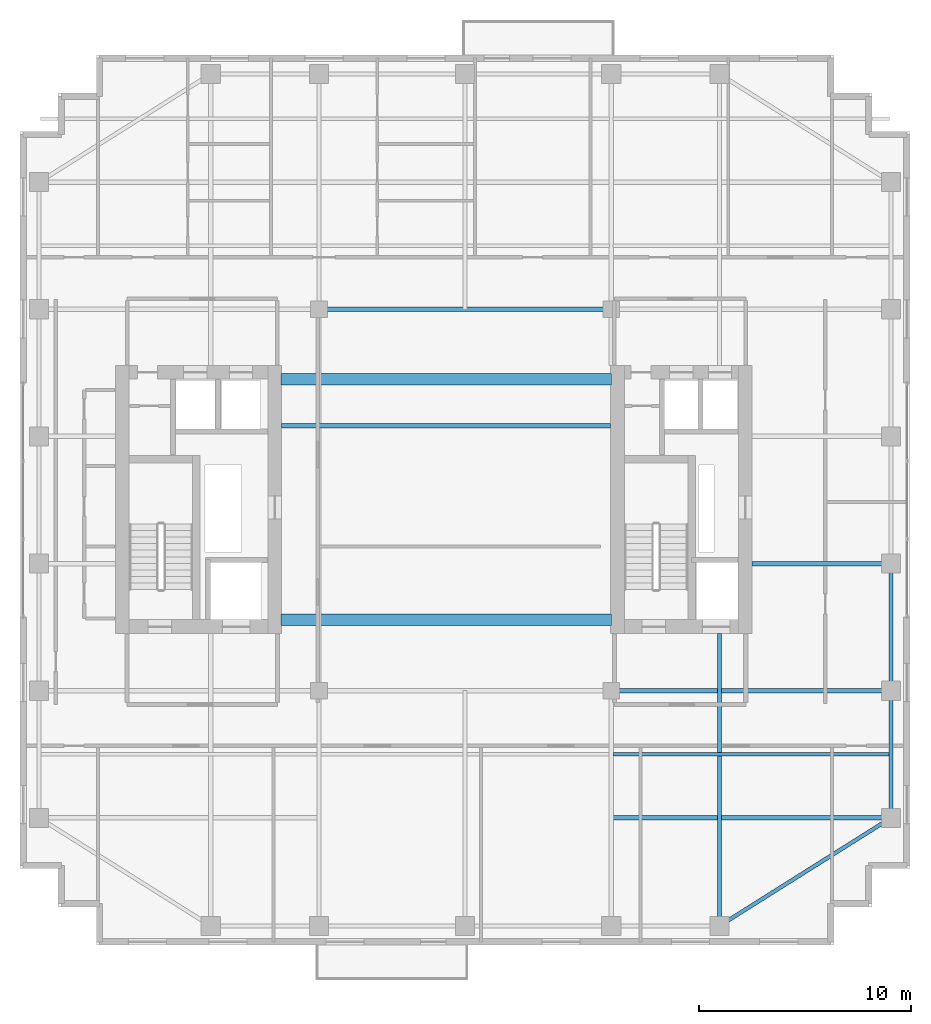
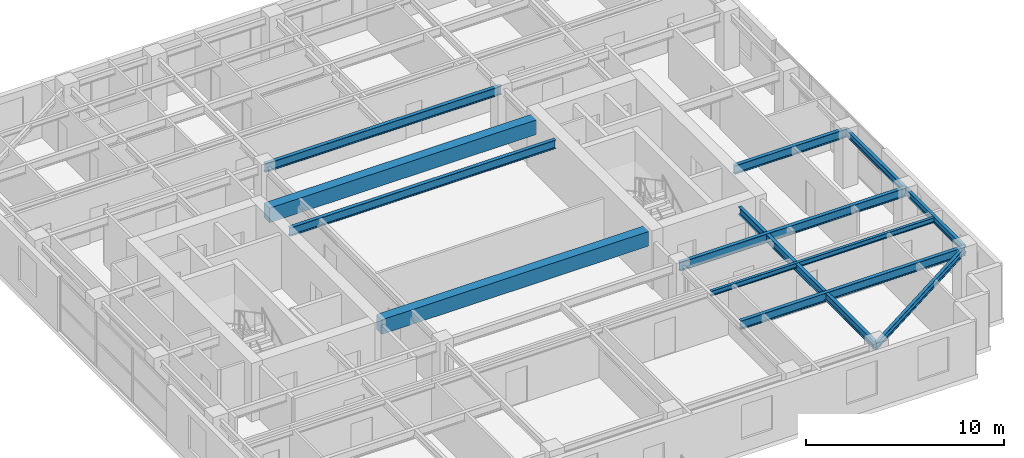
# One storey, part 5 of 14: 12 beams.
"""IFC4 building model written with IfcOpenShell, lengths in metres."""

from ifc_helpers import new_model, si_unit, direction, frame, origin, origin_2d, place, context, subcontext, project, spatial, rectangle, i_section, extrude, source, transform, mapped, material, material_profile, profile_set, type_object, element, save


model = new_model("IFC4")

# Units and contexts
model_context = context("Model", 3, precision=1e-05, world=origin(), true_north=direction((0.0, 1.0)))
body_context = subcontext(model_context, "Body", "Model", "MODEL_VIEW")
ifc_project = project(units=[si_unit("LENGTHUNIT", "METRE"), si_unit("AREAUNIT", "SQUARE_METRE"), si_unit("VOLUMEUNIT", "CUBIC_METRE"), si_unit("PLANEANGLEUNIT", "RADIAN"), si_unit("MASSUNIT", "GRAM", prefix="KILO")], contexts=[model_context])

# Site, building, storey
site_placement = place(None, origin())
site = spatial("IfcSite", under=ifc_project, at=site_placement, CompositionType="ELEMENT")
building_placement = place(site_placement, origin())
building = spatial("IfcBuilding", under=site, at=building_placement, Name="Khoralis Quay Care Tower", CompositionType="ELEMENT")
storey_placement = place(building_placement, frame((0.0, 0.0, 177.300048828125)))
storey = spatial("IfcBuildingStorey", under=building, at=storey_placement, Name="L46", CompositionType="ELEMENT", Elevation=177.300048828125)

# Beams
ifc_material_1 = material(Name="Concrete C65/80", Category="concrete")
ifc_material_profile_1 = material_profile(ifc_material_1, rectangle(XDim=0.550048828125, YDim=0.89990234375, at=origin_2d()), Name="Concrete C65/80")
ifc_profile_set_1 = profile_set([ifc_material_profile_1], Name="Concrete C65/80")
beam_type_1 = type_object("IfcBeamType", Name="CB-RC550X900", PredefinedType="LINTEL", material=ifc_profile_set_1)
shared_shape_1 = source(origin(), body_context, "Body", "SweptSolid", [
    extrude(rectangle(XDim=0.550048828125, YDim=0.89990234375, at=origin_2d()), origin(), (0.0, 0.0, 1.0), 15.579833984375),
])
for number, where, z_axis, x_axis, name in (
    (1, (15.320068359375, 15.35009765625, 2.889892578125), (1.0, 0.0, 0.0), (0.0, 1.0, 0.0), "L46 South Core Coupling Lintel"),
    (2, (15.320068359375, 26.699951171875, 2.889892578125), (1.0, 0.0, 0.0), (0.0, 1.0, 0.0), "L46 North Core Coupling Lintel"),
):
    element("IfcBeam", number, at=place(storey_placement, frame(where, z_axis=z_axis, x_axis=x_axis)), inside=storey, type_object=beam_type_1, Name=name, PredefinedType="LINTEL", context=body_context, shape_type="MappedRepresentation", body=[
        mapped(shared_shape_1, transform((0.0, 0.0, 0.0), scale=1.0)),
    ])
ifc_material_2 = material(Name="Steel S355", Category="steel")
ifc_material_profile_2 = material_profile(ifc_material_2, i_section(OverallWidth=0.179931640625, OverallDepth=0.39990234375, WebThickness=0.008544921875, FlangeThickness=0.013427734375, FilletRadius=0.02099609375, at=origin_2d()), Name="Steel S355")
ifc_profile_set_2 = profile_set([ifc_material_profile_2], Name="Steel S355")
beam_type_2 = type_object("IfcBeamType", Name="BM-IPE400", PredefinedType="SPANDREL", material=ifc_profile_set_2)
shared_shape_2 = source(origin(), body_context, "Body", "SweptSolid", [
    extrude(i_section(OverallWidth=0.179931640625, OverallDepth=0.39990234375, WebThickness=0.008544921875, FlangeThickness=0.013427734375, FilletRadius=0.02099609375, at=origin_2d()), origin(), (0.0, 0.0, 1.0), 6.0),
])
for number, where, z_axis, x_axis, name in (
    (3, (44.10009765625, 6.0, 3.139892578125), (0.0, 1.0, 0.0), (-1.0, 0.0, 0.0), "BM-TSP-L46-14"),
    (4, (44.10009765625, 12.0, 3.139892578125), (0.0, 1.0, 0.0), (-1.0, 0.0, 0.0), "BM-TSP-L46-15"),
):
    element("IfcBeam", number, at=place(storey_placement, frame(where, z_axis=z_axis, x_axis=x_axis)), inside=storey, type_object=beam_type_2, Name=name, PredefinedType="SPANDREL", context=body_context, shape_type="MappedRepresentation", body=[
        mapped(shared_shape_2, transform((0.0, 0.0, 0.0), scale=1.0)),
    ])
shared_shape_3 = source(origin(), body_context, "Body", "SweptSolid", [
    extrude(i_section(OverallWidth=0.179931640625, OverallDepth=0.39990234375, WebThickness=0.008544921875, FlangeThickness=0.013427734375, FilletRadius=0.02099609375, at=origin_2d()), origin(), (0.0, 0.0, 1.0), 9.572021484375),
])
beam_1_placement = place(storey_placement, frame((36.0, 0.89990234375, 3.139892578125), z_axis=(0.846231136359, 0.532815975602, 0.0), x_axis=(-0.532815975602, 0.846231136359, 0.0)))
element("IfcBeam", 5, at=beam_1_placement, inside=storey, type_object=beam_type_2, Name="BM-TCR-L46-20", PredefinedType="SPANDREL", context=body_context, shape_type="MappedRepresentation", body=[
    mapped(shared_shape_3, transform((0.0, 0.0, 0.0), scale=1.0)),
])
ifc_material_profile_3 = material_profile(ifc_material_2, i_section(OverallWidth=0.208984375, OverallDepth=0.532958984375, WebThickness=0.01025390625, FlangeThickness=0.015625, FilletRadius=0.01611328125, at=origin_2d()), Name="Steel S355")
ifc_profile_set_3 = profile_set([ifc_material_profile_3], Name="Steel S355")
beam_type_3 = type_object("IfcBeamType", Name="BM-W530X92", PredefinedType="BEAM", material=ifc_profile_set_3)
shared_shape_4 = source(origin(), body_context, "Body", "SweptSolid", [
    extrude(i_section(OverallWidth=0.208984375, OverallDepth=0.532958984375, WebThickness=0.01025390625, FlangeThickness=0.015625, FilletRadius=0.01611328125, at=origin_2d()), origin(), (0.0, 0.0, 1.0), 13.1162109375),
])
beam_2_placement = place(storey_placement, frame((30.98388671875, 6.0, 3.073486328125), z_axis=(1.0, 0.0, 0.0), x_axis=(0.0, 1.0, 0.0)))
element("IfcBeam", 6, at=beam_2_placement, inside=storey, type_object=beam_type_3, Name="BM-TGXE-L46-60", PredefinedType="BEAM", context=body_context, shape_type="MappedRepresentation", body=[
    mapped(shared_shape_4, transform((0.0, 0.0, 0.0), scale=1.0)),
])
shared_shape_5 = source(origin(), body_context, "Body", "SweptSolid", [
    extrude(i_section(OverallWidth=0.208984375, OverallDepth=0.532958984375, WebThickness=0.01025390625, FlangeThickness=0.015625, FilletRadius=0.01611328125, at=origin_2d()), origin(), (0.0, 0.0, 1.0), 13.2001953125),
])
beam_3_placement = place(storey_placement, frame((30.89990234375, 12.0, 3.073486328125), z_axis=(1.0, 0.0, 0.0), x_axis=(0.0, 1.0, 0.0)))
element("IfcBeam", 7, at=beam_3_placement, inside=storey, type_object=beam_type_3, Name="BM-TGXE-L46-120", PredefinedType="BEAM", context=body_context, shape_type="MappedRepresentation", body=[
    mapped(shared_shape_5, transform((0.0, 0.0, 0.0), scale=1.0)),
])
shared_shape_6 = source(origin(), body_context, "Body", "SweptSolid", [
    extrude(i_section(OverallWidth=0.208984375, OverallDepth=0.532958984375, WebThickness=0.01025390625, FlangeThickness=0.015625, FilletRadius=0.01611328125, at=origin_2d()), origin(), (0.0, 0.0, 1.0), 6.552001953125),
])
beam_4_placement = place(storey_placement, frame((37.548095703125, 18.0, 3.073486328125), z_axis=(1.0, 0.0, 0.0), x_axis=(0.0, 1.0, 0.0)))
element("IfcBeam", 8, at=beam_4_placement, inside=storey, type_object=beam_type_3, Name="BM-TGXE-L46-180", PredefinedType="BEAM", context=body_context, shape_type="MappedRepresentation", body=[
    mapped(shared_shape_6, transform((0.0, 0.0, 0.0), scale=1.0)),
])
shared_shape_7 = source(origin(), body_context, "Body", "SweptSolid", [
    extrude(i_section(OverallWidth=0.208984375, OverallDepth=0.532958984375, WebThickness=0.01025390625, FlangeThickness=0.015625, FilletRadius=0.01611328125, at=origin_2d()), origin(), (0.0, 0.0, 1.0), 13.7998046875),
])
beam_5_placement = place(storey_placement, frame((17.10009765625, 30.0, 3.073486328125), z_axis=(1.0, 0.0, 0.0), x_axis=(0.0, 1.0, 0.0)))
element("IfcBeam", 9, at=beam_5_placement, inside=storey, type_object=beam_type_3, Name="BM-TGCC-L46-300", PredefinedType="BEAM", context=body_context, shape_type="MappedRepresentation", body=[
    mapped(shared_shape_7, transform((0.0, 0.0, 0.0), scale=1.0)),
])
shared_shape_8 = source(origin(), body_context, "Body", "SweptSolid", [
    extrude(i_section(OverallWidth=0.208984375, OverallDepth=0.532958984375, WebThickness=0.01025390625, FlangeThickness=0.015625, FilletRadius=0.01611328125, at=origin_2d()), origin(), (0.0, 0.0, 1.0), 15.524169921875),
])
beam_6_placement = place(storey_placement, frame((15.347900390625, 24.5, 3.073486328125), z_axis=(1.0, 0.0, 0.0), x_axis=(0.0, 1.0, 0.0)))
element("IfcBeam", 10, at=beam_6_placement, inside=storey, type_object=beam_type_3, Name="BM-TGCC-L46-245", PredefinedType="BEAM", context=body_context, shape_type="MappedRepresentation", body=[
    mapped(shared_shape_8, transform((0.0, 0.0, 0.0), scale=1.0)),
])
ifc_material_profile_4 = material_profile(ifc_material_2, i_section(OverallWidth=0.19189453125, OverallDepth=0.462890625, WebThickness=0.010498046875, FlangeThickness=0.017578125, FilletRadius=0.014892578125, at=origin_2d()), Name="Steel S355")
ifc_profile_set_4 = profile_set([ifc_material_profile_4], Name="Steel S355")
beam_type_4 = type_object("IfcBeamType", Name="BM-W460X89", PredefinedType="BEAM", material=ifc_profile_set_4)
shared_shape_9 = source(origin(), body_context, "Body", "SweptSolid", [
    extrude(i_section(OverallWidth=0.19189453125, OverallDepth=0.462890625, WebThickness=0.010498046875, FlangeThickness=0.017578125, FilletRadius=0.014892578125, at=origin_2d()), origin(), (0.0, 0.0, 1.0), 13.802001953125),
])
beam_7_placement = place(storey_placement, frame((36.0, 0.89990234375, 3.1083984375), z_axis=(0.0, 1.0, 0.0), x_axis=(-1.0, 0.0, 0.0)))
element("IfcBeam", 11, at=beam_7_placement, inside=storey, type_object=beam_type_4, Name="BM-TGYS-L46-360", PredefinedType="BEAM", context=body_context, shape_type="MappedRepresentation", body=[
    mapped(shared_shape_9, transform((0.0, 0.0, 0.0), scale=1.0)),
])
ifc_material_profile_5 = material_profile(ifc_material_2, i_section(OverallWidth=0.1650390625, OverallDepth=0.31005859375, WebThickness=0.005859375, FlangeThickness=0.009765625, FilletRadius=0.011962890625, at=origin_2d()), Name="Steel S355")
ifc_profile_set_5 = profile_set([ifc_material_profile_5], Name="Steel S355")
beam_type_5 = type_object("IfcBeamType", Name="BM-W310X39", PredefinedType="JOIST", material=ifc_profile_set_5)
shared_shape_10 = source(origin(), body_context, "Body", "SweptSolid", [
    extrude(i_section(OverallWidth=0.1650390625, OverallDepth=0.31005859375, WebThickness=0.005859375, FlangeThickness=0.009765625, FilletRadius=0.011962890625, at=origin_2d()), origin(), (0.0, 0.0, 1.0), 13.0400390625),
])
beam_8_placement = place(storey_placement, frame((30.98388671875, 9.0, 3.18505859375), z_axis=(1.0, 0.0, 0.0), x_axis=(0.0, 1.0, 0.0)))
element("IfcBeam", 12, at=beam_8_placement, inside=storey, type_object=beam_type_5, Name="BM-TJS-L46-24", PredefinedType="JOIST", context=body_context, shape_type="MappedRepresentation", body=[
    mapped(shared_shape_10, transform((0.0, 0.0, 0.0), scale=1.0)),
])

save(model, "model.ifc")
